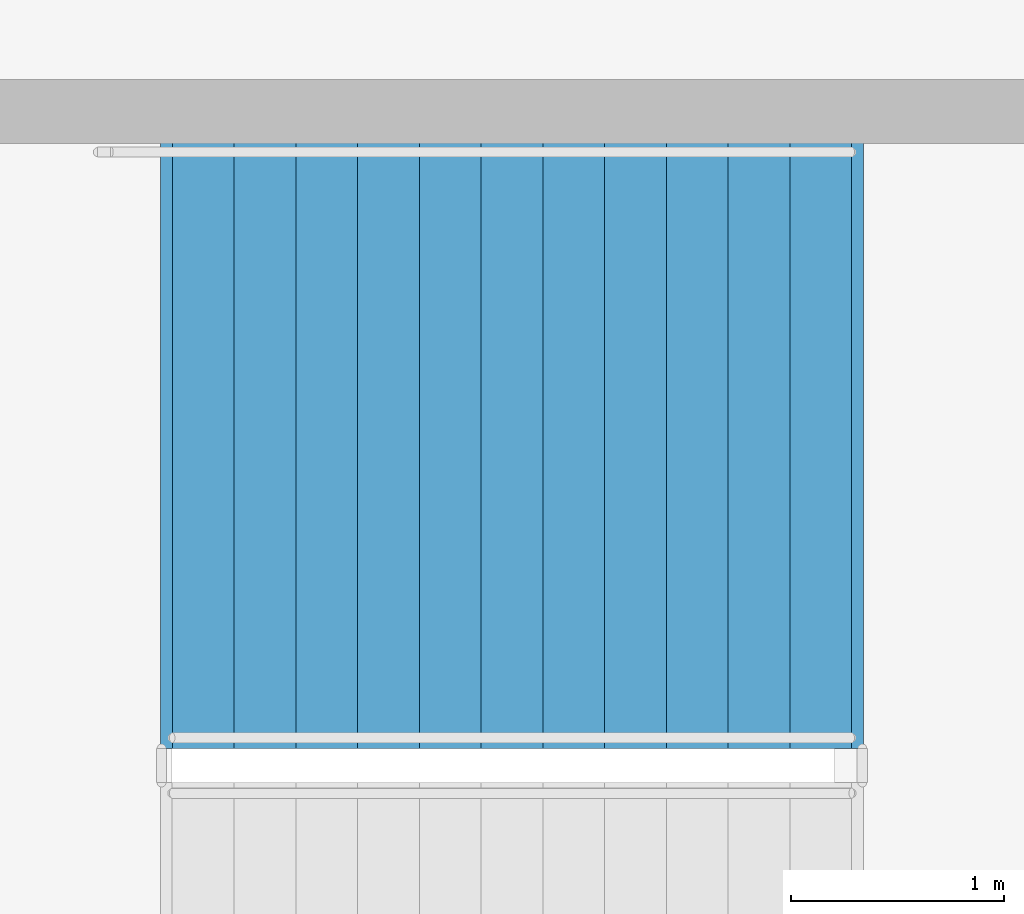
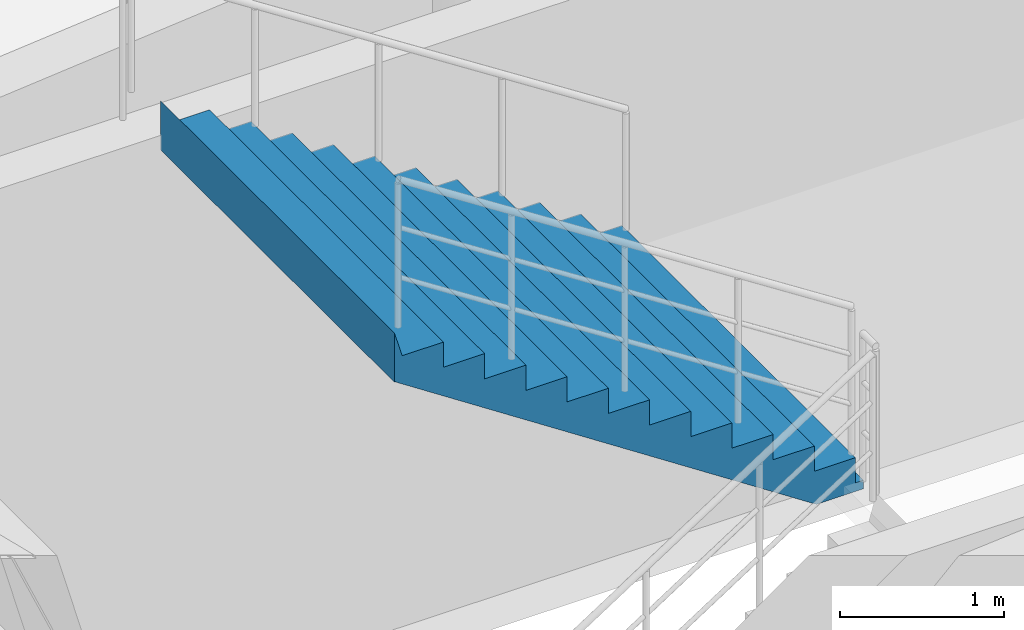
# One storey, part 51 of 60: 1 stair flight, 1 element without a shape of its own.
"""IFC4 building model written with IfcOpenShell, lengths in metres."""

import ifcopenshell
import ifcopenshell.guid

model = None  # the IFC model being written
_history = None  # IfcOwnerHistory: only IFC2X3 demands one
_inside = {}  # id of a spatial element -> (the spatial element, [elements in it])
_under = {}  # id of a project, library or spatial element -> (it, [spatial elements below it])
_declared = {}  # id of a project -> (the project, [libraries it declares])
_typed = {}  # id of a type object -> (the type object, [elements of that type])
_made_of = {}  # id of a material, layer set ... -> (it, [elements and type objects made of it])


def new_model(schema):
    """Start an empty IFC model of exactly this schema.

    Asked for "IFC4X3", IfcOpenShell would pick the latest addendum, in which some entities
    have other attributes; the version numbers below select the first issue.
    IFC2X3 requires an IfcOwnerHistory on every rooted entity: one is made here for all.
    """
    global model, _history
    if schema == "IFC4X3":
        model = ifcopenshell.file(schema_version=(4, 3, 0, 0))
    else:
        model = ifcopenshell.file(schema=schema)
    _inside.clear()
    _under.clear()
    _declared.clear()
    _typed.clear()
    _made_of.clear()
    _history = None
    if model.schema == "IFC2X3":
        org = make("IfcOrganization", Name="unknown")
        user = make(
            "IfcPersonAndOrganization",
            ThePerson=make("IfcPerson", FamilyName="unknown"),
            TheOrganization=org,
        )
        app = make(
            "IfcApplication",
            ApplicationDeveloper=org,
            Version="unknown",
            ApplicationFullName="unknown",
            ApplicationIdentifier="unknown",
        )
        _history = make(
            "IfcOwnerHistory",
            OwningUser=user,
            OwningApplication=app,
            ChangeAction="ADDED",
            CreationDate=0,
        )
    return model


def make(cls, **values):
    """One entity of the class cls with the attributes given. An attribute that is None is left unset."""
    return model.create_entity(
        cls, **{name: value for name, value in values.items() if value is not None}
    )


def rooted(cls, **values):
    """An entity with a GlobalId (a new one), such as an element, a storey or a relation."""
    return make(cls, GlobalId=ifcopenshell.guid.new(), OwnerHistory=_history, **values)


def si_unit(unit_type, name, prefix=None):
    """IfcSIUnit, for example si_unit("LENGTHUNIT", "METRE", prefix="MILLI")."""
    return make("IfcSIUnit", UnitType=unit_type, Prefix=prefix, Name=name)


def assignment(units):
    """IfcUnitAssignment: the units of a project."""
    return None if units is None else make("IfcUnitAssignment", Units=units)


def point(xyz):
    """IfcCartesianPoint."""
    return None if xyz is None else make("IfcCartesianPoint", Coordinates=xyz)


def direction(xyz):
    """IfcDirection."""
    return None if xyz is None else make("IfcDirection", DirectionRatios=xyz)


def frame(location, z_axis=None, x_axis=None):
    """IfcAxis2Placement3D, a coordinate frame: its origin and axes. An axis left out is left unset."""
    return make(
        "IfcAxis2Placement3D",
        Location=point(location),
        Axis=direction(z_axis),
        RefDirection=direction(x_axis),
    )


def origin():
    """The frame at (0, 0, 0) with its axes left unset."""
    return frame((0.0, 0.0, 0.0))


def place(relative_to, where):
    """IfcLocalPlacement: puts the frame where relative to a parent placement (None: the world)."""
    return make(
        "IfcLocalPlacement", PlacementRelTo=relative_to, RelativePlacement=where
    )


def context(
    kind, dimensions, precision=None, world=None, true_north=None, identifier=None
):
    """IfcGeometricRepresentationContext, for example the 3D "Model" context."""
    return make(
        "IfcGeometricRepresentationContext",
        ContextIdentifier=identifier,
        ContextType=kind,
        CoordinateSpaceDimension=dimensions,
        Precision=precision,
        WorldCoordinateSystem=world,
        TrueNorth=true_north,
    )


def subcontext(parent, identifier, kind, view, scale=None):
    """IfcGeometricRepresentationSubContext, for example "Body" below "Model"."""
    return make(
        "IfcGeometricRepresentationSubContext",
        ContextIdentifier=identifier,
        ContextType=kind,
        ParentContext=parent,
        TargetScale=scale,
        TargetView=view,
    )


def project(units=None, contexts=None):
    """IfcProject with its units and contexts."""
    return rooted(
        "IfcProject",
        Name="project",
        RepresentationContexts=contexts,
        UnitsInContext=assignment(units),
    )


def spatial(cls, under=None, at=None, **own):
    """A site, building, storey or space (cls), placed at a placement, below another one or the project."""
    s = rooted(cls, ObjectPlacement=at, **own)
    if under is not None:
        _under.setdefault(under.id(), (under, []))[1].append(s)
    return s


def polyline(points):
    """IfcPolyline through the points."""
    return make("IfcPolyline", Points=[point(p) for p in points])


def outline(outer, holes=None, kind="AREA"):
    """IfcArbitraryClosedProfileDef: a profile drawn as a closed curve; with holes, ...WithVoids."""
    if holes is None:
        return make("IfcArbitraryClosedProfileDef", ProfileType=kind, OuterCurve=outer)
    return make(
        "IfcArbitraryProfileDefWithVoids",
        ProfileType=kind,
        OuterCurve=outer,
        InnerCurves=holes,
    )


def extrude(swept, where, along, depth):
    """IfcExtrudedAreaSolid: the profile swept, set in the frame where, extruded along a direction by depth."""
    return make(
        "IfcExtrudedAreaSolid",
        SweptArea=swept,
        Position=where,
        ExtrudedDirection=direction(along),
        Depth=depth,
    )


def shape(context_of_items, identifier, shape_type, items):
    """IfcShapeRepresentation: the items that make up one representation, for example the "Body"."""
    return make(
        "IfcShapeRepresentation",
        ContextOfItems=context_of_items,
        RepresentationIdentifier=identifier,
        RepresentationType=shape_type,
        Items=items,
    )


def material(Name=None, Category=None):
    """IfcMaterial."""
    return make("IfcMaterial", Name=Name, Category=Category)


def made_of(thing, what):
    """Note that an element or type object is made of a material, layer set ...; save() writes the relation."""
    if what is not None:
        _made_of.setdefault(what.id(), (what, []))[1].append(thing)
    return thing


def type_object(cls, material=None, **own):
    """A type object (cls), such as IfcWallType, which elements share."""
    return made_of(rooted(cls, **own), material)


def element(
    cls,
    number,
    at=None,
    inside=None,
    cuts=None,
    type_object=None,
    material=None,
    context=None,
    identifier="Body",
    shape_type=None,
    held_by="IfcProductDefinitionShape",
    body=None,
    shapes=None,
    **own,
):
    """One element of the class cls, such as IfcWall. Its Tag is "e" and its number.

    at: its placement. inside: the storey or other place that contains it. cuts: it is an
    opening in that element (IfcRelVoidsElement). A single representation is given by context,
    identifier, shape_type and body (its items); several are given by shapes. held_by: the class
    of the entity that holds the representations. save() writes the other relations.
    """
    e = rooted(cls, Tag="e%d" % number, ObjectPlacement=at, **own)
    if body is not None:
        shapes = [shape(context, identifier, shape_type, body)]
    if shapes is not None:
        e.Representation = make(held_by, Representations=shapes)
    if inside is not None:
        _inside.setdefault(inside.id(), (inside, []))[1].append(e)
    if cuts is not None:
        rooted(
            "IfcRelVoidsElement", RelatingBuildingElement=cuts, RelatedOpeningElement=e
        )
    if type_object is not None:
        _typed.setdefault(type_object.id(), (type_object, []))[1].append(e)
    return made_of(e, material)


def aggregate(whole, parts):
    """IfcRelAggregates: a whole, such as a stair, and the parts it consists of."""
    return rooted("IfcRelAggregates", RelatingObject=whole, RelatedObjects=parts)


def save(model, path):
    """Write the relations noted so far, then the file.

    IfcRelAggregates (storeys below a building ...), IfcRelContainedInSpatialStructure (elements
    in a storey), IfcRelDefinesByType, IfcRelAssociatesMaterial and IfcRelDeclares: one each for
    every whole, place, type object, material and project.
    """
    for whole, parts in _under.values():
        aggregate(whole, parts)
    for where, things in _inside.values():
        rooted(
            "IfcRelContainedInSpatialStructure",
            RelatedElements=things,
            RelatingStructure=where,
        )
    for kind, things in _typed.values():
        rooted("IfcRelDefinesByType", RelatedObjects=things, RelatingType=kind)
    for what, things in _made_of.values():
        rooted("IfcRelAssociatesMaterial", RelatedObjects=things, RelatingMaterial=what)
    for by, libraries in _declared.values():
        rooted("IfcRelDeclares", RelatingContext=by, RelatedDefinitions=libraries)
    model.write(path)


model = new_model("IFC4")

# Units and contexts
model_context = context("Model", 3, precision=1e-05, world=origin(), true_north=direction((0.0, 1.0)))
body_context = subcontext(model_context, "Body", "Model", "MODEL_VIEW")
ifc_project = project(units=[si_unit("LENGTHUNIT", "METRE"), si_unit("AREAUNIT", "SQUARE_METRE"), si_unit("VOLUMEUNIT", "CUBIC_METRE"), si_unit("PLANEANGLEUNIT", "RADIAN"), si_unit("MASSUNIT", "GRAM", prefix="KILO")], contexts=[model_context])

# Site, building, storey
site_placement = place(None, origin())
site = spatial("IfcSite", under=ifc_project, at=site_placement, CompositionType="ELEMENT")
building_placement = place(site_placement, origin())
building = spatial("IfcBuilding", under=site, at=building_placement, Name="Cinderbank Siding Concert Hall", CompositionType="ELEMENT")
storey_placement = place(building_placement, frame((0.0, 0.0, 14.699951171875)))
storey = spatial("IfcBuildingStorey", under=building, at=storey_placement, Name="L04", CompositionType="ELEMENT", Elevation=14.699951171875)

# Stair, stair flight
ifc_material = material(Name="Reinforced concrete AS 3600 N50 (50 MPa)", Category="concrete")
stair_type = type_object("IfcStairType", Name="STR-J Dogleg Exit Stair 2850mm", PredefinedType="HALF_TURN_STAIR", material=ifc_material)
stair_placement = place(storey_placement, origin())
stair = element("IfcStair", 1, at=stair_placement, inside=storey, type_object=stair_type, Name="L04 Fire-isolated Exit Stair ST-01", PredefinedType="HALF_TURN_STAIR")
stair_flight_type = type_object("IfcStairFlightType", Name="SFL-J Concrete Stair Flight 2850mm", PredefinedType="STRAIGHT", material=ifc_material)
stair_flight_placement = place(storey_placement, frame((122.340087890625, 63.18505859375, 2.25), z_axis=(0.0, 0.0, 1.0), x_axis=(-1.0, 0.0, 0.0)))
stair_flight = element("IfcStairFlight", 2, at=stair_flight_placement, type_object=stair_flight_type, Name="ST-01 flight 2", NumberOfRisers=12, NumberOfTreads=11, PredefinedType="STRAIGHT", RiserHeight=0.1875, TreadLength=0.29, context=body_context, shape_type="SweptSolid", body=[
    extrude(outline(polyline([(0.0, 0.0), (0.0, 0.1875), (0.2900390625, 0.1875), (0.2900390625, 0.375), (0.580078125, 0.375), (0.580078125, 0.5625), (0.8701171875, 0.5625), (0.8701171875, 0.75), (1.159912109375, 0.75), (1.159912109375, 0.9375), (1.449951171875, 0.9375), (1.449951171875, 1.125), (1.739990234375, 1.125), (1.739990234375, 1.3125), (2.030029296875, 1.3125), (2.030029296875, 1.5), (2.320068359375, 1.5), (2.320068359375, 1.6875), (2.610107421875, 1.6875), (2.610107421875, 1.875), (2.89990234375, 1.875), (2.89990234375, 2.0625), (3.18994140625, 2.0625), (3.244873046875, 2.25), (3.244873046875, 1.884033203125), (3.24462890625, 1.88427734375), (3.24462890625, 1.884521484375), (3.24462890625, 1.884765625), (3.24462890625, 1.885009765625), (3.24462890625, 1.88525390625), (3.24462890625, 1.885498046875), (3.24462890625, 1.8857421875), (3.24462890625, 1.885986328125), (3.24462890625, 1.88623046875), (3.24462890625, 1.886474609375), (3.24462890625, 1.88671875), (3.24462890625, 1.886962890625), (3.244384765625, 1.886962890625), (3.244384765625, 1.88671875), (3.244384765625, 1.886474609375), (3.244384765625, 1.88623046875), (3.244384765625, 1.885986328125), (3.244384765625, 1.8857421875), (3.244384765625, 1.885498046875), (3.244384765625, 1.88525390625), (3.244384765625, 1.885009765625), (3.244384765625, 1.884765625), (3.244384765625, 1.884521484375), (3.244384765625, 1.88427734375), (3.244384765625, 1.884033203125), (3.244140625, 1.88427734375), (3.244140625, 1.884521484375), (3.244140625, 1.884765625), (3.244140625, 1.885009765625), (3.244140625, 1.88525390625), (3.244140625, 1.885498046875), (3.244140625, 1.8857421875), (3.244140625, 1.885986328125), (3.244140625, 1.88623046875), (3.244140625, 1.886474609375), (3.244140625, 1.88671875), (3.244140625, 1.886962890625), (3.243896484375, 1.886962890625), (3.243896484375, 1.88671875), (3.243896484375, 1.886474609375), (3.243896484375, 1.88623046875), (3.243896484375, 1.885986328125), (3.243896484375, 1.8857421875), (3.243896484375, 1.885498046875), (3.243896484375, 1.88525390625), (3.243896484375, 1.885009765625), (3.243896484375, 1.884765625), (3.243896484375, 1.884521484375), (3.243896484375, 1.88427734375), (3.243896484375, 1.884033203125), (3.24365234375, 1.88427734375), (3.24365234375, 1.884521484375), (3.24365234375, 1.884765625), (3.24365234375, 1.885009765625), (3.24365234375, 1.88525390625), (3.24365234375, 1.885498046875), (3.24365234375, 1.8857421875), (3.24365234375, 1.885986328125), (3.24365234375, 1.88623046875), (3.24365234375, 1.886474609375), (3.24365234375, 1.88671875), (3.24365234375, 1.886962890625), (3.243408203125, 1.886962890625), (3.243408203125, 1.88671875), (3.243408203125, 1.886474609375), (3.243408203125, 1.88623046875), (3.243408203125, 1.885986328125), (3.243408203125, 1.8857421875), (3.243408203125, 1.885498046875), (3.243408203125, 1.88525390625), (3.243408203125, 1.885009765625), (3.243408203125, 1.884765625), (3.243408203125, 1.884521484375), (3.243408203125, 1.88427734375), (3.243408203125, 1.884033203125), (3.2431640625, 1.88427734375), (3.2431640625, 1.884521484375), (3.2431640625, 1.884765625), (3.2431640625, 1.885009765625), (3.2431640625, 1.88525390625), (3.2431640625, 1.885498046875), (3.2431640625, 1.8857421875), (3.2431640625, 1.885986328125), (3.2431640625, 1.88623046875), (3.2431640625, 1.886474609375), (3.2431640625, 1.88671875), (3.2431640625, 1.886962890625), (3.242919921875, 1.886962890625), (3.242919921875, 1.88671875), (3.242919921875, 1.886474609375), (3.242919921875, 1.88623046875), (3.242919921875, 1.885986328125), (3.242919921875, 1.8857421875), (3.242919921875, 1.885498046875), (3.242919921875, 1.88525390625), (3.242919921875, 1.885009765625), (3.242919921875, 1.884765625), (3.242919921875, 1.884521484375), (3.242919921875, 1.88427734375), (3.242919921875, 1.884033203125), (3.24267578125, 1.88427734375), (3.24267578125, 1.884521484375), (3.24267578125, 1.884765625), (3.24267578125, 1.885009765625), (3.24267578125, 1.88525390625), (3.24267578125, 1.885498046875), (3.24267578125, 1.8857421875), (3.24267578125, 1.885986328125), (3.24267578125, 1.88623046875), (3.24267578125, 1.886474609375), (3.24267578125, 1.88671875), (3.24267578125, 1.886962890625), (3.242431640625, 1.886962890625), (3.242431640625, 1.88671875), (3.242431640625, 1.886474609375), (3.242431640625, 1.88623046875), (3.242431640625, 1.885986328125), (3.242431640625, 1.8857421875), (3.242431640625, 1.885498046875), (3.242431640625, 1.88525390625), (3.242431640625, 1.885009765625), (3.242431640625, 1.884765625), (3.242431640625, 1.884521484375), (3.242431640625, 1.88427734375), (3.242431640625, 1.884033203125), (3.2421875, 1.88427734375), (3.2421875, 1.884521484375), (3.2421875, 1.884765625), (3.2421875, 1.885009765625), (3.2421875, 1.88525390625), (3.2421875, 1.885498046875), (3.2421875, 1.8857421875), (3.2421875, 1.885986328125), (3.2421875, 1.88623046875), (3.2421875, 1.886474609375), (3.2421875, 1.88671875), (3.2421875, 1.886962890625), (3.241943359375, 1.886962890625), (3.241943359375, 1.88671875), (3.241943359375, 1.886474609375), (3.241943359375, 1.88623046875), (3.241943359375, 1.885986328125), (3.241943359375, 1.8857421875), (3.241943359375, 1.885498046875), (3.241943359375, 1.88525390625), (3.241943359375, 1.885009765625), (3.241943359375, 1.884765625), (3.241943359375, 1.884521484375), (3.241943359375, 1.88427734375), (3.241943359375, 1.884033203125), (3.24169921875, 1.88427734375), (3.24169921875, 1.884521484375), (3.24169921875, 1.884765625), (3.24169921875, 1.885009765625), (3.24169921875, 1.88525390625), (3.24169921875, 1.885498046875), (3.24169921875, 1.8857421875), (3.24169921875, 1.885986328125), (3.24169921875, 1.88623046875), (3.24169921875, 1.886474609375), (3.24169921875, 1.88671875), (3.24169921875, 1.886962890625), (3.241455078125, 1.886962890625), (3.241455078125, 1.88671875), (3.241455078125, 1.886474609375), (3.241455078125, 1.88623046875), (3.241455078125, 1.885986328125), (3.241455078125, 1.8857421875), (3.241455078125, 1.885498046875), (3.241455078125, 1.88525390625), (3.241455078125, 1.885009765625), (3.241455078125, 1.884765625), (3.241455078125, 1.884521484375), (3.241455078125, 1.88427734375), (3.241455078125, 1.884033203125), (3.2412109375, 1.88427734375), (3.2412109375, 1.884521484375), (3.2412109375, 1.884765625), (3.2412109375, 1.885009765625), (3.2412109375, 1.88525390625), (3.2412109375, 1.885498046875), (3.2412109375, 1.8857421875), (3.2412109375, 1.885986328125), (3.2412109375, 1.88623046875), (3.2412109375, 1.886474609375), (3.2412109375, 1.88671875), (3.2412109375, 1.886962890625), (3.240966796875, 1.886962890625), (3.240966796875, 1.88671875), (3.240966796875, 1.886474609375), (3.240966796875, 1.88623046875), (3.240966796875, 1.885986328125), (3.240966796875, 1.8857421875), (3.240966796875, 1.885498046875), (3.240966796875, 1.88525390625), (3.240966796875, 1.885009765625), (3.240966796875, 1.884765625), (3.240966796875, 1.884521484375), (3.240966796875, 1.88427734375), (3.240966796875, 1.884033203125), (3.24072265625, 1.88427734375), (3.24072265625, 1.884521484375), (3.24072265625, 1.884765625), (3.24072265625, 1.885009765625), (3.24072265625, 1.88525390625), (3.24072265625, 1.885498046875), (3.24072265625, 1.8857421875), (3.24072265625, 1.885986328125), (3.24072265625, 1.88623046875), (3.24072265625, 1.886474609375), (3.24072265625, 1.88671875), (3.24072265625, 1.886962890625), (3.240478515625, 1.886962890625), (3.240478515625, 1.88671875), (3.240478515625, 1.886474609375), (3.240478515625, 1.88623046875), (3.240478515625, 1.885986328125), (3.240478515625, 1.8857421875), (3.240478515625, 1.885498046875), (3.240478515625, 1.88525390625), (3.240478515625, 1.885009765625), (3.240478515625, 1.884765625), (3.240478515625, 1.884521484375), (3.240478515625, 1.88427734375), (3.240478515625, 1.884033203125), (3.240234375, 1.88427734375), (3.240234375, 1.884521484375), (3.240234375, 1.884765625), (3.240234375, 1.885009765625), (3.240234375, 1.88525390625), (3.240234375, 1.885498046875), (3.240234375, 1.8857421875), (3.240234375, 1.885986328125), (3.240234375, 1.88623046875), (3.240234375, 1.886474609375), (3.240234375, 1.88671875), (3.240234375, 1.886962890625), (3.239990234375, 1.886962890625), (3.239990234375, 1.88671875), (3.239990234375, 1.886474609375), (3.239990234375, 1.88623046875), (3.239990234375, 1.885986328125), (3.239990234375, 1.8857421875), (3.239990234375, 1.885498046875), (3.239990234375, 1.88525390625), (3.239990234375, 1.885009765625), (3.239990234375, 1.884765625), (3.239990234375, 1.884521484375), (3.239990234375, 1.88427734375), (3.239990234375, 1.884033203125), (3.23974609375, 1.88427734375), (3.23974609375, 1.884521484375), (3.23974609375, 1.884765625), (3.23974609375, 1.885009765625), (3.23974609375, 1.88525390625), (3.23974609375, 1.885498046875), (3.23974609375, 1.8857421875), (3.23974609375, 1.885986328125), (3.23974609375, 1.88623046875), (3.23974609375, 1.886474609375), (3.23974609375, 1.88671875), (3.23974609375, 1.886962890625), (3.239501953125, 1.886962890625), (3.239501953125, 1.88671875), (3.239501953125, 1.886474609375), (3.239501953125, 1.88623046875), (3.239501953125, 1.885986328125), (3.239501953125, 1.8857421875), (3.239501953125, 1.885498046875), (3.239501953125, 1.88525390625), (3.239501953125, 1.885009765625), (3.239501953125, 1.884765625), (3.239501953125, 1.884521484375), (3.239501953125, 1.88427734375), (3.239501953125, 1.884033203125), (3.2392578125, 1.88427734375), (3.2392578125, 1.884521484375), (3.2392578125, 1.884765625), (3.2392578125, 1.885009765625), (3.2392578125, 1.88525390625), (3.2392578125, 1.885498046875), (3.2392578125, 1.8857421875), (3.2392578125, 1.885986328125), (3.2392578125, 1.88623046875), (3.2392578125, 1.886474609375), (3.2392578125, 1.88671875), (3.2392578125, 1.886962890625), (3.239013671875, 1.886962890625), (3.239013671875, 1.88671875), (3.239013671875, 1.886474609375), (3.239013671875, 1.88623046875), (3.239013671875, 1.885986328125), (3.239013671875, 1.8857421875), (3.239013671875, 1.885498046875), (3.239013671875, 1.88525390625), (3.239013671875, 1.885009765625), (3.239013671875, 1.884765625), (3.239013671875, 1.884521484375), (3.239013671875, 1.88427734375), (3.239013671875, 1.884033203125), (3.23876953125, 1.88427734375), (3.23876953125, 1.884521484375), (3.23876953125, 1.884765625), (3.23876953125, 1.885009765625), (3.23876953125, 1.88525390625), (3.23876953125, 1.885498046875), (3.23876953125, 1.8857421875), (3.23876953125, 1.885986328125), (3.23876953125, 1.88623046875), (3.23876953125, 1.886474609375), (3.23876953125, 1.88671875), (3.23876953125, 1.886962890625), (3.238525390625, 1.886962890625), (3.238525390625, 1.88671875), (3.238525390625, 1.886474609375), (3.238525390625, 1.88623046875), (3.238525390625, 1.885986328125), (3.238525390625, 1.8857421875), (3.238525390625, 1.885498046875), (3.238525390625, 1.88525390625), (3.238525390625, 1.885009765625), (3.238525390625, 1.884765625), (3.238525390625, 1.884521484375), (3.238525390625, 1.88427734375), (3.238525390625, 1.884033203125), (0.276123046875, -0.06396484375), (-0.048583984375, -0.063720703125), (-0.048583984375, -0.0634765625), (-0.048583984375, -0.063232421875), (-0.048583984375, -0.06298828125), (-0.048583984375, -0.062744140625), (-0.048583984375, -0.0625), (-0.048583984375, -0.062255859375), (-0.048583984375, -0.06201171875), (-0.048583984375, -0.061767578125), (-0.048583984375, -0.0615234375), (-0.048583984375, -0.061279296875), (-0.048583984375, -0.06103515625), (-0.048828125, -0.06103515625), (-0.048828125, -0.061279296875), (-0.048828125, -0.0615234375), (-0.048828125, -0.061767578125), (-0.048828125, -0.06201171875), (-0.048828125, -0.062255859375), (-0.048828125, -0.0625), (-0.048828125, -0.062744140625), (-0.048828125, -0.06298828125), (-0.048828125, -0.063232421875), (-0.048828125, -0.0634765625), (-0.048828125, -0.063720703125), (-0.048828125, -0.06396484375), (-0.049072265625, -0.063720703125), (-0.049072265625, -0.0634765625), (-0.049072265625, -0.063232421875), (-0.049072265625, -0.06298828125), (-0.049072265625, -0.062744140625), (-0.049072265625, -0.0625), (-0.049072265625, -0.062255859375), (-0.049072265625, -0.06201171875), (-0.049072265625, -0.061767578125), (-0.049072265625, -0.0615234375), (-0.049072265625, -0.061279296875), (-0.049072265625, -0.06103515625), (-0.04931640625, -0.06103515625), (-0.04931640625, -0.061279296875), (-0.04931640625, -0.0615234375), (-0.04931640625, -0.061767578125), (-0.04931640625, -0.06201171875), (-0.04931640625, -0.062255859375), (-0.04931640625, -0.0625), (-0.04931640625, -0.062744140625), (-0.04931640625, -0.06298828125), (-0.04931640625, -0.063232421875), (-0.04931640625, -0.0634765625), (-0.04931640625, -0.063720703125), (-0.04931640625, -0.06396484375), (-0.049560546875, -0.063720703125), (-0.049560546875, -0.0634765625), (-0.049560546875, -0.063232421875), (-0.049560546875, -0.06298828125), (-0.049560546875, -0.062744140625), (-0.049560546875, -0.0625), (-0.049560546875, -0.062255859375), (-0.049560546875, -0.06201171875), (-0.049560546875, -0.061767578125), (-0.049560546875, -0.0615234375), (-0.049560546875, -0.061279296875), (-0.049560546875, -0.06103515625), (-0.0498046875, -0.06103515625), (-0.0498046875, -0.061279296875), (-0.0498046875, -0.0615234375), (-0.0498046875, -0.061767578125), (-0.0498046875, -0.06201171875), (-0.0498046875, -0.062255859375), (-0.0498046875, -0.0625), (-0.0498046875, -0.062744140625), (-0.0498046875, -0.06298828125), (-0.0498046875, -0.063232421875), (-0.0498046875, -0.0634765625), (-0.0498046875, -0.063720703125), (-0.0498046875, -0.06396484375), (-0.050048828125, -0.063720703125), (-0.050048828125, -0.0634765625), (-0.050048828125, -0.063232421875), (-0.050048828125, -0.06298828125), (-0.050048828125, -0.062744140625), (-0.050048828125, -0.0625), (-0.050048828125, -0.062255859375), (-0.050048828125, -0.06201171875), (-0.050048828125, -0.061767578125), (-0.050048828125, -0.0615234375), (-0.050048828125, -0.061279296875), (-0.050048828125, -0.06103515625), (-0.05029296875, -0.06103515625), (-0.05029296875, -0.061279296875), (-0.05029296875, -0.0615234375), (-0.05029296875, -0.061767578125), (-0.05029296875, -0.06201171875), (-0.05029296875, -0.062255859375), (-0.05029296875, -0.0625), (-0.05029296875, -0.062744140625), (-0.05029296875, -0.06298828125), (-0.05029296875, -0.063232421875), (-0.05029296875, -0.0634765625), (-0.05029296875, -0.063720703125), (-0.05029296875, -0.06396484375), (-0.050537109375, -0.063720703125), (-0.050537109375, -0.0634765625), (-0.050537109375, -0.063232421875), (-0.050537109375, -0.06298828125), (-0.050537109375, -0.062744140625), (-0.050537109375, -0.0625), (-0.050537109375, -0.062255859375), (-0.050537109375, -0.06201171875), (-0.050537109375, -0.061767578125), (-0.050537109375, -0.0615234375), (-0.050537109375, -0.061279296875), (-0.050537109375, -0.06103515625), (-0.05078125, -0.06103515625), (-0.05078125, -0.061279296875), (-0.05078125, -0.0615234375), (-0.05078125, -0.061767578125), (-0.05078125, -0.06201171875), (-0.05078125, -0.062255859375), (-0.05078125, -0.0625), (-0.05078125, -0.062744140625), (-0.05078125, -0.06298828125), (-0.05078125, -0.063232421875), (-0.05078125, -0.0634765625), (-0.05078125, -0.063720703125), (-0.05078125, -0.06396484375), (-0.051025390625, -0.063720703125), (-0.051025390625, -0.0634765625), (-0.051025390625, -0.063232421875), (-0.051025390625, -0.06298828125), (-0.051025390625, -0.062744140625), (-0.051025390625, -0.0625), (-0.051025390625, -0.062255859375), (-0.051025390625, -0.06201171875), (-0.051025390625, -0.061767578125), (-0.051025390625, -0.0615234375), (-0.051025390625, -0.061279296875), (-0.051025390625, -0.06103515625), (-0.05126953125, -0.06103515625), (-0.05126953125, -0.061279296875), (-0.05126953125, -0.0615234375), (-0.05126953125, -0.061767578125), (-0.05126953125, -0.06201171875), (-0.05126953125, -0.062255859375), (-0.05126953125, -0.0625), (-0.05126953125, -0.062744140625), (-0.05126953125, -0.06298828125), (-0.05126953125, -0.063232421875), (-0.05126953125, -0.0634765625), (-0.05126953125, -0.063720703125), (-0.05126953125, -0.06396484375), (-0.051513671875, -0.063720703125), (-0.051513671875, -0.0634765625), (-0.051513671875, -0.063232421875), (-0.051513671875, -0.06298828125), (-0.051513671875, -0.062744140625), (-0.051513671875, -0.0625), (-0.051513671875, -0.062255859375), (-0.051513671875, -0.06201171875), (-0.051513671875, -0.061767578125), (-0.051513671875, -0.0615234375), (-0.051513671875, -0.061279296875), (-0.051513671875, -0.06103515625), (-0.0517578125, -0.06103515625), (-0.0517578125, -0.061279296875), (-0.0517578125, -0.0615234375), (-0.0517578125, -0.061767578125), (-0.0517578125, -0.06201171875), (-0.0517578125, -0.062255859375), (-0.0517578125, -0.0625), (-0.0517578125, -0.062744140625), (-0.0517578125, -0.06298828125), (-0.0517578125, -0.063232421875), (-0.0517578125, -0.0634765625), (-0.0517578125, -0.063720703125), (-0.0517578125, -0.06396484375), (-0.052001953125, -0.063720703125), (-0.052001953125, -0.0634765625), (-0.052001953125, -0.063232421875), (-0.052001953125, -0.06298828125), (-0.052001953125, -0.062744140625), (-0.052001953125, -0.0625), (-0.052001953125, -0.062255859375), (-0.052001953125, -0.06201171875), (-0.052001953125, -0.061767578125), (-0.052001953125, -0.0615234375), (-0.052001953125, -0.061279296875), (-0.052001953125, -0.06103515625), (-0.05224609375, -0.06103515625), (-0.05224609375, -0.061279296875), (-0.05224609375, -0.0615234375), (-0.05224609375, -0.061767578125), (-0.05224609375, -0.06201171875), (-0.05224609375, -0.062255859375), (-0.05224609375, -0.0625), (-0.05224609375, -0.062744140625), (-0.05224609375, -0.06298828125), (-0.05224609375, -0.063232421875), (-0.05224609375, -0.0634765625), (-0.05224609375, -0.063720703125), (-0.05224609375, -0.06396484375), (-0.052490234375, -0.063720703125), (-0.052490234375, -0.0634765625), (-0.052490234375, -0.063232421875), (-0.052490234375, -0.06298828125), (-0.052490234375, -0.062744140625), (-0.052490234375, -0.0625), (-0.052490234375, -0.062255859375), (-0.052490234375, -0.06201171875), (-0.052490234375, -0.061767578125), (-0.052490234375, -0.0615234375), (-0.052490234375, -0.061279296875), (-0.052490234375, -0.06103515625), (-0.052734375, -0.06103515625), (-0.052734375, -0.061279296875), (-0.052734375, -0.0615234375), (-0.052734375, -0.061767578125), (-0.052734375, -0.06201171875), (-0.052734375, -0.062255859375), (-0.052734375, -0.0625), (-0.052734375, -0.062744140625), (-0.052734375, -0.06298828125), (-0.052734375, -0.063232421875), (-0.052734375, -0.0634765625), (-0.052734375, -0.063720703125), (-0.052734375, -0.06396484375), (-0.052978515625, -0.063720703125), (-0.052978515625, -0.0634765625), (-0.052978515625, -0.063232421875), (-0.052978515625, -0.06298828125), (-0.052978515625, -0.062744140625), (-0.052978515625, -0.0625), (-0.052978515625, -0.062255859375), (-0.052978515625, -0.06201171875), (-0.052978515625, -0.061767578125), (-0.052978515625, -0.0615234375), (-0.052978515625, -0.061279296875), (-0.052978515625, -0.06103515625), (-0.05322265625, -0.06103515625), (-0.05322265625, -0.061279296875), (-0.05322265625, -0.0615234375), (-0.05322265625, -0.061767578125), (-0.05322265625, -0.06201171875), (-0.05322265625, -0.062255859375), (-0.05322265625, -0.0625), (-0.05322265625, -0.062744140625), (-0.05322265625, -0.06298828125), (-0.05322265625, -0.063232421875), (-0.05322265625, -0.0634765625), (-0.05322265625, -0.063720703125), (-0.05322265625, -0.06396484375), (-0.053466796875, -0.063720703125), (-0.053466796875, -0.0634765625), (-0.053466796875, -0.063232421875), (-0.053466796875, -0.06298828125), (-0.053466796875, -0.062744140625), (-0.053466796875, -0.0625), (-0.053466796875, -0.062255859375), (-0.053466796875, -0.06201171875), (-0.053466796875, -0.061767578125), (-0.053466796875, -0.0615234375), (-0.053466796875, -0.061279296875), (-0.053466796875, -0.06103515625), (-0.0537109375, -0.06103515625), (-0.0537109375, -0.061279296875), (-0.0537109375, -0.0615234375), (-0.0537109375, -0.061767578125), (-0.0537109375, -0.06201171875), (-0.0537109375, -0.062255859375), (-0.0537109375, -0.0625), (-0.0537109375, -0.062744140625), (-0.0537109375, -0.06298828125), (-0.0537109375, -0.063232421875), (-0.0537109375, -0.0634765625), (-0.0537109375, -0.063720703125), (-0.0537109375, -0.06396484375), (-0.053955078125, -0.063720703125), (-0.053955078125, -0.0634765625), (-0.053955078125, -0.063232421875), (-0.053955078125, -0.06298828125), (-0.053955078125, -0.062744140625), (-0.053955078125, -0.0625), (-0.053955078125, -0.062255859375), (-0.053955078125, -0.06201171875), (-0.053955078125, -0.061767578125), (-0.053955078125, -0.0615234375), (-0.053955078125, -0.061279296875), (-0.053955078125, -0.06103515625), (-0.05419921875, -0.06103515625), (-0.05419921875, -0.061279296875), (-0.05419921875, -0.0615234375), (-0.05419921875, -0.061767578125), (-0.05419921875, -0.06201171875), (-0.05419921875, -0.062255859375), (-0.05419921875, -0.0625), (-0.05419921875, -0.062744140625), (-0.05419921875, -0.06298828125), (-0.05419921875, -0.063232421875), (-0.05419921875, -0.0634765625), (-0.05419921875, -0.063720703125), (-0.05419921875, -0.06396484375), (-0.054443359375, -0.063720703125), (-0.054443359375, -0.0634765625), (-0.054443359375, -0.063232421875), (-0.054443359375, -0.06298828125), (-0.054443359375, -0.062744140625), (-0.054443359375, -0.0625), (-0.054443359375, -0.062255859375), (-0.054443359375, -0.06201171875), (-0.054443359375, -0.061767578125), (-0.054443359375, -0.0615234375), (-0.054443359375, -0.061279296875), (-0.054443359375, -0.06103515625), (-0.0546875, -0.06103515625), (-0.0546875, -0.061279296875), (-0.0546875, -0.0615234375), (-0.0546875, -0.061767578125), (-0.0546875, -0.06201171875), (-0.0546875, -0.062255859375), (-0.0546875, -0.0625), (-0.0546875, -0.062744140625), (-0.0546875, -0.06298828125), (-0.0546875, -0.063232421875), (-0.0546875, -0.0634765625), (-0.0546875, -0.063720703125), (-0.0546875, -0.06396484375), (-0.054931640625, -0.06396484375), (-0.054931640625, 0.0), (0.0, 0.0)])), frame((0.0, 1.425048828125, 0.0), z_axis=(0.0, -1.0, 0.0), x_axis=(1.0, 0.0, 0.0)), (0.0, 0.0, 1.0), 2.85009765625),
])
aggregate(stair, [stair_flight])

save(model, "model.ifc")
